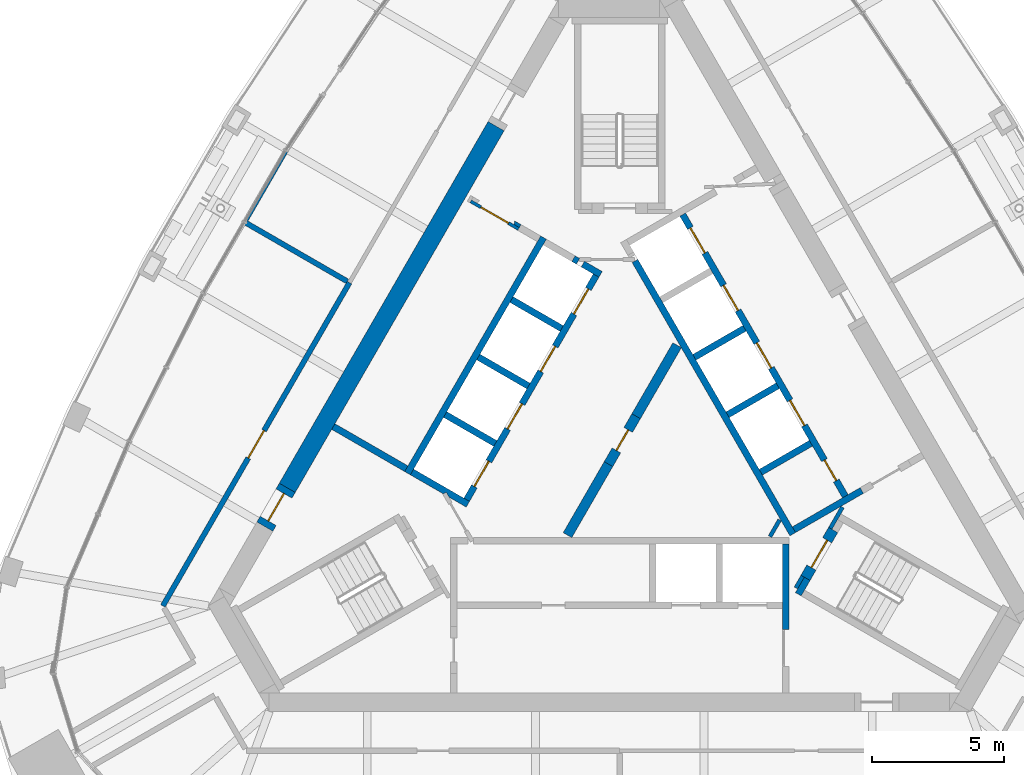
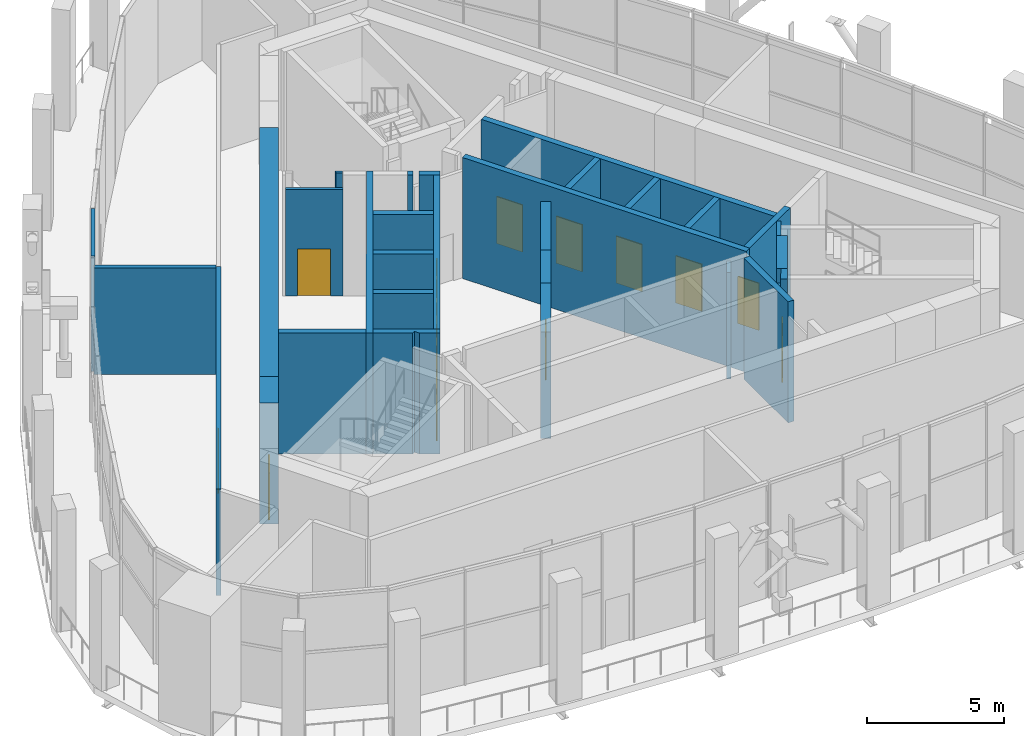
# One storey, part 14 of 23: 31 walls, 14 doors, 14 openings.
"""IFC4 building model written with IfcOpenShell, lengths in metres."""

from ifc_helpers import new_model, si_unit, direction, frame, frame_2d, origin, place, context, subcontext, project, spatial, polyline, rectangle, outline, extrude, material, layer, layer_set, type_object, element, fill, save


model = new_model("IFC4")

# Units and contexts
model_context = context("Model", 3, precision=1e-05, world=origin(), true_north=direction((0.0, 1.0)))
body_context = subcontext(model_context, "Body", "Model", "MODEL_VIEW")
ifc_project = project(units=[si_unit("LENGTHUNIT", "METRE"), si_unit("AREAUNIT", "SQUARE_METRE"), si_unit("VOLUMEUNIT", "CUBIC_METRE"), si_unit("PLANEANGLEUNIT", "RADIAN"), si_unit("MASSUNIT", "GRAM", prefix="KILO")], contexts=[model_context])

# Site, building, storey
site_placement = place(None, origin())
site = spatial("IfcSite", under=ifc_project, at=site_placement, CompositionType="ELEMENT")
building_placement = place(site_placement, origin())
building = spatial("IfcBuilding", under=site, at=building_placement, Name="Mestral Congress Tower", CompositionType="ELEMENT")
storey_placement = place(building_placement, frame((0.0, 0.0, 261.60009765625)))
storey = spatial("IfcBuildingStorey", under=building, at=storey_placement, Name="L61", CompositionType="ELEMENT", Elevation=261.60009765625)

# Walls
ifc_material_1 = material(Name="Fire-rated board partition")
ifc_layer_1 = layer(ifc_material_1, 0.14990234375)
ifc_layer_set_1 = layer_set([ifc_layer_1], Name="Fire-rated board partition")
wall_type_1 = type_object("IfcWallType", Name="Core partition 150", PredefinedType="PARTITIONING", material=ifc_layer_set_1)
wall_1_placement = place(storey_placement, frame((6.94482421875, -5.22216796875, 0.0), z_axis=(0.0, 0.0, 1.0), x_axis=(-0.499818422106, -0.866130212453, 0.0)))
element("IfcWall", 1, at=wall_1_placement, inside=storey, type_object=wall_type_1, Name="L61 core wall", PredefinedType="PARTITIONING", context=body_context, shape_type="SweptSolid", body=[
    extrude(rectangle(XDim=0.513916015625, YDim=0.14990234375, at=frame_2d((0.2568359375, 0.0))), origin(), (0.0, 0.0, 1.0), 4.75),
])
wall_2_placement = place(storey_placement, frame((5.704833984375, -3.718017578125, 0.0), z_axis=(0.0, 0.0, 1.0), x_axis=(0.499962090823, 0.866047289552, 0.0)))
element("IfcWall", 2, at=wall_2_placement, inside=storey, type_object=wall_type_1, Name="L61 core wall", PredefinedType="PARTITIONING", context=body_context, shape_type="SweptSolid", body=[
    extrude(rectangle(XDim=0.73486328125, YDim=0.14990234375, at=frame_2d((0.367431640625, 0.0))), origin(), (0.0, 0.0, 1.0), 4.75),
])
placement = place(storey_placement, origin())
element("IfcWall", 3, at=placement, inside=storey, type_object=wall_type_1, Name="L61 core wall", PredefinedType="PARTITIONING", context=body_context, shape_type="SweptSolid", body=[
    extrude(outline(polyline([(2.016845703125, 3.64306640625), (2.341552734375, 3.45556640625), (0.784912109375, 0.759521484375), (0.460205078125, 0.947021484375), (2.016845703125, 3.64306640625)])), origin(), (0.0, 0.0, 1.0), 4.75),
])
element("IfcWall", 4, at=placement, inside=storey, type_object=wall_type_1, Name="L61 core wall", PredefinedType="PARTITIONING", context=body_context, shape_type="SweptSolid", body=[
    extrude(outline(polyline([(-0.590087890625, -0.871826171875), (-0.26513671875, -1.059326171875), (-1.822021484375, -3.755615234375), (-2.146728515625, -3.568115234375), (-0.590087890625, -0.871826171875)])), origin(), (0.0, 0.0, 1.0), 4.75),
])

# Wall, opening, door
ifc_layer_2 = layer(ifc_material_1, 0.1201171875)
ifc_layer_set_2 = layer_set([ifc_layer_2], Name="Fire-rated board partition")
wall_type_2 = type_object("IfcWallType", Name="Core partition 150 door-wall 120", PredefinedType="PARTITIONING", material=ifc_layer_set_2)
wall_5_placement = place(storey_placement, frame((-5.65869140625, 9.01171875, 0.0), z_axis=(0.0, 0.0, 1.0), x_axis=(0.866009402589, -0.500027713859, 0.0)))
wall_5 = element("IfcWall", 5, at=wall_5_placement, inside=storey, type_object=wall_type_2, Name="L61 door wall", PredefinedType="PARTITIONING", context=body_context, shape_type="SweptSolid", body=[
    extrude(rectangle(XDim=2.10009765625, YDim=0.1201171875, at=frame_2d((1.050048828125, 0.0))), origin(), (0.0, 0.0, 1.0), 4.75),
])
opening_1_placement = place(wall_5_placement, frame((0.449951171875, 0.0, 0.0)))
opening_1 = element("IfcOpeningElement", 6, at=opening_1_placement, cuts=wall_5, Name="Opening LB2-WL2", PredefinedType="OPENING", context=body_context, shape_type="SweptSolid", body=[
    extrude(rectangle(XDim=1.199951171875, YDim=2.10009765625, at=frame_2d((0.60009765625, 1.050048828125))), frame((0.0, 0.070068359375, 0.0), z_axis=(0.0, -1.0, 0.0), x_axis=(1.0, 0.0, 0.0)), (0.0, 0.0, 1.0), 0.14013671875),
])
ifc_material_2 = material(Name="Fire-rated steel door set", Category="steel")
door_type_1 = type_object("IfcDoorType", Name="Core door LB 1200x2100", OperationType="SINGLE_SWING_LEFT", PredefinedType="DOOR", material=ifc_material_2)
door_1_placement = place(opening_1_placement, origin())
door_1 = element("IfcDoor", 7, at=door_1_placement, inside=storey, type_object=door_type_1, Name="Door LB2-WL2", OperationType="SINGLE_SWING_LEFT", OverallHeight=2.10009765625, OverallWidth=1.199951171875, PredefinedType="DOOR", context=body_context, shape_type="SweptSolid", body=[
    extrude(rectangle(XDim=1.199951171875, YDim=2.10009765625, at=frame_2d((0.60009765625, 1.050048828125))), frame((0.0, 0.02490234375, 0.0), z_axis=(0.0, -1.0, 0.0), x_axis=(1.0, 0.0, 0.0)), (0.0, 0.0, 1.0), 0.050048828125),
])
fill(opening_1, door_1)

ifc_layer_3 = layer(ifc_material_1, 0.375)
ifc_layer_set_3 = layer_set([ifc_layer_3], Name="Fire-rated board partition")
wall_type_3 = type_object("IfcWallType", Name="Core partition 150 door-wall 375", PredefinedType="PARTITIONING", material=ifc_layer_set_3)
wall_6_placement = place(storey_placement, frame((-0.427490234375, -0.965576171875, 0.0), z_axis=(0.0, 0.0, 1.0), x_axis=(0.49994051562, 0.866059744384, 0.0)))
wall_6 = element("IfcWall", 8, at=wall_6_placement, inside=storey, type_object=wall_type_3, Name="L61 door wall", PredefinedType="PARTITIONING", context=body_context, shape_type="SweptSolid", body=[
    extrude(rectangle(XDim=2.099853515625, YDim=0.375, at=frame_2d((1.0498046875, 0.0))), origin(), (0.0, 0.0, 1.0), 4.75),
])
opening_2_placement = place(wall_6_placement, frame((0.60009765625, 0.0, 0.0)))
opening_2 = element("IfcOpeningElement", 9, at=opening_2_placement, cuts=wall_6, Name="Opening CD1-HUB0", PredefinedType="OPENING", context=body_context, shape_type="SweptSolid", body=[
    extrude(rectangle(XDim=0.89990234375, YDim=2.10009765625, at=frame_2d((0.449951171875, 1.050048828125))), frame((0.0, 0.197509765625, 0.0), z_axis=(0.0, -1.0, 0.0), x_axis=(1.0, 0.0, 0.0)), (0.0, 0.0, 1.0), 0.39501953125),
])
door_type_2 = type_object("IfcDoorType", Name="Core door CD 900x2100", OperationType="SINGLE_SWING_LEFT", PredefinedType="DOOR", material=ifc_material_2)
door_2_placement = place(opening_2_placement, origin())
door_2 = element("IfcDoor", 10, at=door_2_placement, inside=storey, type_object=door_type_2, Name="Door CD1-HUB0", OperationType="SINGLE_SWING_LEFT", OverallHeight=2.10009765625, OverallWidth=0.89990234375, PredefinedType="DOOR", context=body_context, shape_type="SweptSolid", body=[
    extrude(rectangle(XDim=0.89990234375, YDim=2.10009765625, at=frame_2d((0.449951171875, 1.050048828125))), frame((0.0, 0.02490234375, 0.0), z_axis=(0.0, -1.0, 0.0), x_axis=(1.0, 0.0, 0.0)), (0.0, 0.0, 1.0), 0.050048828125),
])
fill(opening_2, door_2)

# Wall
ifc_material_3 = material(Name="Concrete C60/75", Category="concrete")
ifc_layer_4 = layer(ifc_material_3, 0.699951171875)
ifc_layer_set_4 = layer_set([ifc_layer_4], Name="Concrete C60/75")
wall_type_4 = type_object("IfcWallType", Name="Core wall RC 700", PredefinedType="SOLIDWALL", material=ifc_layer_set_4)
wall_7_placement = place(storey_placement, frame((-12.624755859375, -1.866943359375, 0.0), z_axis=(0.0, 0.0, 1.0), x_axis=(0.499996974394, 0.866027150612, 0.0)))
element("IfcWall", 11, at=wall_7_placement, inside=storey, type_object=wall_type_4, Name="L61 core wall", PredefinedType="SOLIDWALL", context=body_context, shape_type="SweptSolid", body=[
    extrude(rectangle(XDim=15.8583984375, YDim=0.699951171875, at=frame_2d((7.92919921875, 0.0))), origin(), (0.0, 0.0, 1.0), 5.39990234375),
])

# Wall, opening, door
wall_8_placement = place(storey_placement, frame((-13.474853515625, -3.339111328125, 0.0), z_axis=(0.0, 0.0, 1.0), x_axis=(0.499954529098, 0.86605165483, 0.0)))
wall_8 = element("IfcWall", 12, at=wall_8_placement, inside=storey, type_object=wall_type_4, Name="L61 door wall", PredefinedType="SOLIDWALL", context=body_context, shape_type="SweptSolid", body=[
    extrude(rectangle(XDim=1.699951171875, YDim=0.699951171875, at=frame_2d((0.85009765625, 0.0))), origin(), (0.0, 0.0, 1.0), 5.39990234375),
])
opening_3_placement = place(wall_8_placement, frame((0.25, 0.0, 0.0)))
opening_3 = element("IfcOpeningElement", 13, at=opening_3_placement, cuts=wall_8, Name="Opening XD3", PredefinedType="OPENING", context=body_context, shape_type="SweptSolid", body=[
    extrude(rectangle(XDim=1.199951171875, YDim=2.10009765625, at=frame_2d((0.60009765625, 1.050048828125))), frame((0.0, 0.35986328125, 0.0), z_axis=(0.0, -1.0, 0.0), x_axis=(1.0, 0.0, 0.0)), (0.0, 0.0, 1.0), 0.719970703125),
])
door_type_3 = type_object("IfcDoorType", Name="Core door XD 1200x2100", OperationType="SINGLE_SWING_LEFT", PredefinedType="DOOR", material=ifc_material_2)
door_3_placement = place(opening_3_placement, origin())
door_3 = element("IfcDoor", 14, at=door_3_placement, inside=storey, type_object=door_type_3, Name="Door XD3", OperationType="SINGLE_SWING_LEFT", OverallHeight=2.10009765625, OverallWidth=1.199951171875, PredefinedType="DOOR", context=body_context, shape_type="SweptSolid", body=[
    extrude(rectangle(XDim=1.199951171875, YDim=2.10009765625, at=frame_2d((0.60009765625, 1.050048828125))), frame((0.0, 0.02490234375, 0.0), z_axis=(0.0, -1.0, 0.0), x_axis=(1.0, 0.0, 0.0)), (0.0, 0.0, 1.0), 0.050048828125),
])
fill(opening_3, door_3)

# Walls
ifc_layer_5 = layer(ifc_material_3, 0.25)
ifc_layer_set_5 = layer_set([ifc_layer_5], Name="Concrete C60/75")
wall_type_5 = type_object("IfcWallType", Name="Shaft wall RC 250", PredefinedType="SOLIDWALL", material=ifc_layer_set_5)
wall_9_placement = place(storey_placement, frame((6.300048828125, -7.239990234375, 0.0), z_axis=(0.0, 0.0, 1.0), x_axis=(0.0, 1.0, 0.0)))
element("IfcWall", 15, at=wall_9_placement, inside=storey, type_object=wall_type_5, Name="L61 core wall", PredefinedType="SOLIDWALL", context=body_context, shape_type="SweptSolid", body=[
    extrude(rectangle(XDim=3.239990234375, YDim=0.25, at=frame_2d((1.6201171875, 0.0))), origin(), (0.0, 0.0, 1.0), 5.39990234375),
])
wall_10_placement = place(storey_placement, frame((6.568359375, -3.626708984375, 0.0), z_axis=(0.0, 0.0, 1.0), x_axis=(-0.499999455981, 0.866025717874, 0.0)))
element("IfcWall", 16, at=wall_10_placement, inside=storey, type_object=wall_type_5, Name="L61 core wall", PredefinedType="SOLIDWALL", context=body_context, shape_type="SweptSolid", body=[
    extrude(rectangle(XDim=11.97802734375, YDim=0.25, at=frame_2d((5.989013671875, 0.0))), origin(), (0.0, 0.0, 1.0), 5.39990234375),
])
for number, where, z_axis, x_axis, name in (
    (17, (2.833984375, 3.091064453125, 0.0), (0.0, 0.0, 1.0), (0.866008176907, 0.50002983664, 0.0), "L61 core wall"),
    (18, (4.093994140625, 0.90869140625, 0.0), (0.0, 0.0, 1.0), (0.866008176907, 0.50002983664, 0.0), "L61 core wall"),
    (19, (5.35400390625, -1.273681640625, 0.0), (0.0, 0.0, 1.0), (0.866008176907, 0.50002983664, 0.0), "L61 core wall"),
):
    element("IfcWall", number, at=place(storey_placement, frame(where, z_axis=z_axis, x_axis=x_axis)), inside=storey, type_object=wall_type_5, Name=name, PredefinedType="SOLIDWALL", context=body_context, shape_type="SweptSolid", body=[
        extrude(rectangle(XDim=2.199951171875, YDim=0.25, at=frame_2d((1.10009765625, 0.0))), origin(), (0.0, 0.0, 1.0), 5.39990234375),
    ])
wall_11_placement = place(storey_placement, frame((6.614013671875, -3.4560546875, 0.0), z_axis=(0.0, 0.0, 1.0), x_axis=(0.866032512851, 0.499987686533, 0.0)))
element("IfcWall", 20, at=wall_11_placement, inside=storey, type_object=wall_type_5, Name="L61 core wall", PredefinedType="SOLIDWALL", context=body_context, shape_type="SweptSolid", body=[
    extrude(rectangle(XDim=2.974609375, YDim=0.25, at=frame_2d((1.4873046875, 0.0))), origin(), (0.0, 0.0, 1.0), 5.39990234375),
])
wall_12_placement = place(storey_placement, frame((-8.06005859375, -1.310546875, 0.0), z_axis=(0.0, 0.0, 1.0), x_axis=(0.50000273126, 0.866023826885, 0.0)))
element("IfcWall", 21, at=wall_12_placement, inside=storey, type_object=wall_type_5, Name="L61 core wall", PredefinedType="SOLIDWALL", context=body_context, shape_type="SweptSolid", body=[
    extrude(rectangle(XDim=10.330078125, YDim=0.25, at=frame_2d((5.1650390625, 0.0))), origin(), (0.0, 0.0, 1.0), 5.39990234375),
])
wall_13_placement = place(storey_placement, frame((-1.75830078125, 6.834716796875, 0.0), z_axis=(0.0, 0.0, 1.0), x_axis=(0.865982457891, -0.500074377092, 0.0)))
element("IfcWall", 22, at=wall_13_placement, inside=storey, type_object=wall_type_5, Name="L61 core wall", PredefinedType="SOLIDWALL", context=body_context, shape_type="SweptSolid", body=[
    extrude(rectangle(XDim=0.2001953125, YDim=0.25, at=frame_2d((0.10009765625, 0.0))), origin(), (0.0, 0.0, 1.0), 5.39990234375),
])
wall_14_placement = place(storey_placement, frame((-0.7275390625, 6.23974609375, 0.0), z_axis=(0.0, 0.0, 1.0), x_axis=(-0.865955664968, 0.500120771724, 0.0)))
element("IfcWall", 23, at=wall_14_placement, inside=storey, type_object=wall_type_5, Name="L61 core wall", PredefinedType="SOLIDWALL", context=body_context, shape_type="SweptSolid", body=[
    extrude(rectangle(XDim=0.778076171875, YDim=0.25, at=frame_2d((0.38916015625, 0.0))), origin(), (0.0, 0.0, 1.0), 5.39990234375),
])
for number, where, z_axis, x_axis, name in (
    (24, (-2.2041015625, 4.182373046875, 0.0), (0.0, 0.0, 1.0), (-0.866008176907, 0.50002983664, 0.0), "L61 core wall"),
    (25, (-5.369384765625, 3.10009765625, 0.0), (0.0, 0.0, 1.0), (0.866008176907, -0.50002983664, 0.0), "L61 core wall"),
    (26, (-4.72412109375, -0.182373046875, 0.0), (0.0, 0.0, 1.0), (-0.866008176907, 0.50002983664, 0.0), "L61 core wall"),
):
    element("IfcWall", number, at=place(storey_placement, frame(where, z_axis=z_axis, x_axis=x_axis)), inside=storey, type_object=wall_type_5, Name=name, PredefinedType="SOLIDWALL", context=body_context, shape_type="SweptSolid", body=[
        extrude(rectangle(XDim=2.199951171875, YDim=0.25, at=frame_2d((1.10009765625, 0.0))), origin(), (0.0, 0.0, 1.0), 5.39990234375),
    ])
element("IfcWall", 27, at=placement, inside=storey, type_object=wall_type_5, Name="L61 core wall", PredefinedType="SOLIDWALL", context=body_context, shape_type="SweptSolid", body=[
    extrude(outline(polyline([(-5.921630859375, -2.256591796875), (-5.921630859375, -2.256591796875), (-5.705078125, -2.381591796875), (-5.830078125, -2.597900390625), (-6.48291015625, -2.22119140625), (-6.59130859375, -2.033447265625), (-6.59130859375, -2.033447265625), (-6.69970703125, -2.095947265625), (-7.951904296875, -1.373046875), (-7.826904296875, -1.156494140625), (-5.921630859375, -2.256591796875)])), origin(), (0.0, 0.0, 1.0), 5.39990234375),
])
wall_16_placement = place(storey_placement, frame((-8.10595703125, -1.139892578125, 0.0), z_axis=(0.0, 0.0, 1.0), x_axis=(-0.866008981251, 0.500028443584, 0.0)))
element("IfcWall", 28, at=wall_16_placement, inside=storey, type_object=wall_type_5, Name="L61 core wall", PredefinedType="SOLIDWALL", context=body_context, shape_type="SweptSolid", body=[
    extrude(rectangle(XDim=3.199951171875, YDim=0.25, at=frame_2d((1.60009765625, 0.0))), origin(), (0.0, 0.0, 1.0), 5.39990234375),
])
element("IfcWall", 29, at=placement, inside=storey, type_object=wall_type_5, Name="L61 core wall", PredefinedType="SOLIDWALL", context=body_context, shape_type="SweptSolid", body=[
    extrude(outline(polyline([(-3.748291015625, 8.1279296875), (-3.813232421875, 8.015380859375), (-4.026611328125, 8.138671875), (-4.0166015625, 8.156005859375), (-4.007568359375, 8.17333984375), (-4.000244140625, 8.191650390625), (-3.994873046875, 8.21044921875), (-3.991455078125, 8.229736328125), (-3.98974609375, 8.24951171875), (-3.989990234375, 8.267578125), (-3.748291015625, 8.1279296875)])), origin(), (0.0, 0.0, 1.0), 5.39990234375),
])

# Wall, openings, doors
wall_18_placement = place(storey_placement, frame((8.565185546875, -2.185302734375, 0.0), z_axis=(0.0, 0.0, 1.0), x_axis=(-0.499997954832, 0.866026584559, 0.0)))
wall_18 = element("IfcWall", 30, at=wall_18_placement, inside=storey, type_object=wall_type_5, Name="L61 door wall", PredefinedType="SOLIDWALL", context=body_context, shape_type="SweptSolid", body=[
    extrude(rectangle(XDim=12.35009765625, YDim=0.25, at=frame_2d((6.175048828125, 0.0))), origin(), (0.0, 0.0, 1.0), 5.39990234375),
])
opening_4_placement = place(wall_18_placement, frame((0.68505859375, 0.0, 0.0)))
opening_4 = element("IfcOpeningElement", 31, at=opening_4_placement, cuts=wall_18, Name="Opening SR-NEB1", PredefinedType="OPENING", context=body_context, shape_type="SweptSolid", body=[
    extrude(rectangle(XDim=0.89990234375, YDim=2.10009765625, at=frame_2d((0.449951171875, 1.050048828125))), frame((0.0, 0.135009765625, 0.0), z_axis=(0.0, -1.0, 0.0), x_axis=(1.0, 0.0, 0.0)), (0.0, 0.0, 1.0), 0.27001953125),
])
opening_5_placement = place(wall_18_placement, frame((3.10498046875, 0.0, 0.0)))
opening_5 = element("IfcOpeningElement", 32, at=opening_5_placement, cuts=wall_18, Name="Opening LD-NEB2", PredefinedType="OPENING", context=body_context, shape_type="SweptSolid", body=[
    extrude(rectangle(XDim=1.10009765625, YDim=2.10009765625, at=frame_2d((0.550048828125, 1.050048828125))), frame((0.0, 0.135009765625, 0.0), z_axis=(0.0, -1.0, 0.0), x_axis=(1.0, 0.0, 0.0)), (0.0, 0.0, 1.0), 0.27001953125),
])
opening_6_placement = place(wall_18_placement, frame((5.625, 0.0, 0.0)))
opening_6 = element("IfcOpeningElement", 33, at=opening_6_placement, cuts=wall_18, Name="Opening LD-NEB3", PredefinedType="OPENING", context=body_context, shape_type="SweptSolid", body=[
    extrude(rectangle(XDim=1.10009765625, YDim=2.10009765625, at=frame_2d((0.550048828125, 1.050048828125))), frame((0.0, 0.135009765625, 0.0), z_axis=(0.0, -1.0, 0.0), x_axis=(1.0, 0.0, 0.0)), (0.0, 0.0, 1.0), 0.27001953125),
])
opening_7_placement = place(wall_18_placement, frame((8.14501953125, 0.0, 0.0)))
opening_7 = element("IfcOpeningElement", 34, at=opening_7_placement, cuts=wall_18, Name="Opening LD-NEB4", PredefinedType="OPENING", context=body_context, shape_type="SweptSolid", body=[
    extrude(rectangle(XDim=1.10009765625, YDim=2.10009765625, at=frame_2d((0.550048828125, 1.050048828125))), frame((0.0, 0.135009765625, 0.0), z_axis=(0.0, -1.0, 0.0), x_axis=(1.0, 0.0, 0.0)), (0.0, 0.0, 1.0), 0.27001953125),
])
opening_8_placement = place(wall_18_placement, frame((10.6650390625, 0.0, 0.0)))
opening_8 = element("IfcOpeningElement", 35, at=opening_8_placement, cuts=wall_18, Name="Opening LD-NEB5", PredefinedType="OPENING", context=body_context, shape_type="SweptSolid", body=[
    extrude(rectangle(XDim=1.10009765625, YDim=2.10009765625, at=frame_2d((0.550048828125, 1.050048828125))), frame((0.0, 0.135009765625, 0.0), z_axis=(0.0, -1.0, 0.0), x_axis=(1.0, 0.0, 0.0)), (0.0, 0.0, 1.0), 0.27001953125),
])
door_type_4 = type_object("IfcDoorType", Name="Core door LD 1100x2100", OperationType="DOUBLE_DOOR_SLIDING", PredefinedType="DOOR", material=ifc_material_2)
door_4_placement = place(opening_5_placement, origin())
door_4 = element("IfcDoor", 36, at=door_4_placement, inside=storey, type_object=door_type_4, Name="Door LD-NEB2", OperationType="DOUBLE_DOOR_SLIDING", OverallHeight=2.10009765625, OverallWidth=1.10009765625, PredefinedType="DOOR", context=body_context, shape_type="SweptSolid", body=[
    extrude(rectangle(XDim=1.10009765625, YDim=2.10009765625, at=frame_2d((0.550048828125, 1.050048828125))), frame((0.0, 0.02490234375, 0.0), z_axis=(0.0, -1.0, 0.0), x_axis=(1.0, 0.0, 0.0)), (0.0, 0.0, 1.0), 0.050048828125),
])
fill(opening_5, door_4)
door_5_placement = place(opening_6_placement, origin())
door_5 = element("IfcDoor", 37, at=door_5_placement, inside=storey, type_object=door_type_4, Name="Door LD-NEB3", OperationType="DOUBLE_DOOR_SLIDING", OverallHeight=2.10009765625, OverallWidth=1.10009765625, PredefinedType="DOOR", context=body_context, shape_type="SweptSolid", body=[
    extrude(rectangle(XDim=1.10009765625, YDim=2.10009765625, at=frame_2d((0.550048828125, 1.050048828125))), frame((0.0, 0.02490234375, 0.0), z_axis=(0.0, -1.0, 0.0), x_axis=(1.0, 0.0, 0.0)), (0.0, 0.0, 1.0), 0.050048828125),
])
fill(opening_6, door_5)
door_6_placement = place(opening_7_placement, origin())
door_6 = element("IfcDoor", 38, at=door_6_placement, inside=storey, type_object=door_type_4, Name="Door LD-NEB4", OperationType="DOUBLE_DOOR_SLIDING", OverallHeight=2.10009765625, OverallWidth=1.10009765625, PredefinedType="DOOR", context=body_context, shape_type="SweptSolid", body=[
    extrude(rectangle(XDim=1.10009765625, YDim=2.10009765625, at=frame_2d((0.550048828125, 1.050048828125))), frame((0.0, 0.02490234375, 0.0), z_axis=(0.0, -1.0, 0.0), x_axis=(1.0, 0.0, 0.0)), (0.0, 0.0, 1.0), 0.050048828125),
])
fill(opening_7, door_6)
door_7_placement = place(opening_8_placement, origin())
door_7 = element("IfcDoor", 39, at=door_7_placement, inside=storey, type_object=door_type_4, Name="Door LD-NEB5", OperationType="DOUBLE_DOOR_SLIDING", OverallHeight=2.10009765625, OverallWidth=1.10009765625, PredefinedType="DOOR", context=body_context, shape_type="SweptSolid", body=[
    extrude(rectangle(XDim=1.10009765625, YDim=2.10009765625, at=frame_2d((0.550048828125, 1.050048828125))), frame((0.0, 0.02490234375, 0.0), z_axis=(0.0, -1.0, 0.0), x_axis=(1.0, 0.0, 0.0)), (0.0, 0.0, 1.0), 0.050048828125),
])
fill(opening_8, door_7)
door_type_5 = type_object("IfcDoorType", Name="Core door SR 900x2100", OperationType="SINGLE_SWING_LEFT", PredefinedType="DOOR", material=ifc_material_2)
door_8_placement = place(opening_4_placement, origin())
door_8 = element("IfcDoor", 40, at=door_8_placement, inside=storey, type_object=door_type_5, Name="Door SR-NEB1", OperationType="SINGLE_SWING_LEFT", OverallHeight=2.10009765625, OverallWidth=0.89990234375, PredefinedType="DOOR", context=body_context, shape_type="SweptSolid", body=[
    extrude(rectangle(XDim=0.89990234375, YDim=2.10009765625, at=frame_2d((0.449951171875, 1.050048828125))), frame((0.0, 0.02490234375, 0.0), z_axis=(0.0, -1.0, 0.0), x_axis=(1.0, 0.0, 0.0)), (0.0, 0.0, 1.0), 0.050048828125),
])
fill(opening_4, door_8)

wall_19_placement = place(storey_placement, frame((-0.898193359375, 6.194091796875, 0.0), z_axis=(0.0, 0.0, 1.0), x_axis=(-0.499996202215, -0.866027596426, 0.0)))
wall_19 = element("IfcWall", 41, at=wall_19_placement, inside=storey, type_object=wall_type_5, Name="L61 door wall", PredefinedType="SOLIDWALL", context=body_context, shape_type="SweptSolid", body=[
    extrude(rectangle(XDim=9.830078125, YDim=0.25, at=frame_2d((4.9150390625, 0.0))), origin(), (0.0, 0.0, 1.0), 5.39990234375),
])
opening_9_placement = place(wall_19_placement, frame((0.5849609375, 0.0, 0.0)))
opening_9 = element("IfcOpeningElement", 42, at=opening_9_placement, cuts=wall_19, Name="Opening LD-NWB1", PredefinedType="OPENING", context=body_context, shape_type="SweptSolid", body=[
    extrude(rectangle(XDim=1.10009765625, YDim=2.10009765625, at=frame_2d((0.550048828125, 1.050048828125))), frame((0.0, 0.135009765625, 0.0), z_axis=(0.0, -1.0, 0.0), x_axis=(1.0, 0.0, 0.0)), (0.0, 0.0, 1.0), 0.27001953125),
])
opening_10_placement = place(wall_19_placement, frame((3.10498046875, 0.0, 0.0)))
opening_10 = element("IfcOpeningElement", 43, at=opening_10_placement, cuts=wall_19, Name="Opening LD-NWB2", PredefinedType="OPENING", context=body_context, shape_type="SweptSolid", body=[
    extrude(rectangle(XDim=1.10009765625, YDim=2.10009765625, at=frame_2d((0.550048828125, 1.050048828125))), frame((0.0, 0.135009765625, 0.0), z_axis=(0.0, -1.0, 0.0), x_axis=(1.0, 0.0, 0.0)), (0.0, 0.0, 1.0), 0.27001953125),
])
opening_11_placement = place(wall_19_placement, frame((5.625, 0.0, 0.0)))
opening_11 = element("IfcOpeningElement", 44, at=opening_11_placement, cuts=wall_19, Name="Opening LD-NWB3", PredefinedType="OPENING", context=body_context, shape_type="SweptSolid", body=[
    extrude(rectangle(XDim=1.10009765625, YDim=2.10009765625, at=frame_2d((0.550048828125, 1.050048828125))), frame((0.0, 0.135009765625, 0.0), z_axis=(0.0, -1.0, 0.0), x_axis=(1.0, 0.0, 0.0)), (0.0, 0.0, 1.0), 0.27001953125),
])
opening_12_placement = place(wall_19_placement, frame((8.14501953125, 0.0, 0.0)))
opening_12 = element("IfcOpeningElement", 45, at=opening_12_placement, cuts=wall_19, Name="Opening LD-NWB4", PredefinedType="OPENING", context=body_context, shape_type="SweptSolid", body=[
    extrude(rectangle(XDim=1.10009765625, YDim=2.10009765625, at=frame_2d((0.550048828125, 1.050048828125))), frame((0.0, 0.135009765625, 0.0), z_axis=(0.0, -1.0, 0.0), x_axis=(1.0, 0.0, 0.0)), (0.0, 0.0, 1.0), 0.27001953125),
])
door_9_placement = place(opening_9_placement, origin())
door_9 = element("IfcDoor", 46, at=door_9_placement, inside=storey, type_object=door_type_4, Name="Door LD-NWB1", OperationType="DOUBLE_DOOR_SLIDING", OverallHeight=2.10009765625, OverallWidth=1.10009765625, PredefinedType="DOOR", context=body_context, shape_type="SweptSolid", body=[
    extrude(rectangle(XDim=1.10009765625, YDim=2.10009765625, at=frame_2d((0.550048828125, 1.050048828125))), frame((0.0, 0.02490234375, 0.0), z_axis=(0.0, -1.0, 0.0), x_axis=(1.0, 0.0, 0.0)), (0.0, 0.0, 1.0), 0.050048828125),
])
fill(opening_9, door_9)
door_10_placement = place(opening_10_placement, origin())
door_10 = element("IfcDoor", 47, at=door_10_placement, inside=storey, type_object=door_type_4, Name="Door LD-NWB2", OperationType="DOUBLE_DOOR_SLIDING", OverallHeight=2.10009765625, OverallWidth=1.10009765625, PredefinedType="DOOR", context=body_context, shape_type="SweptSolid", body=[
    extrude(rectangle(XDim=1.10009765625, YDim=2.10009765625, at=frame_2d((0.550048828125, 1.050048828125))), frame((0.0, 0.02490234375, 0.0), z_axis=(0.0, -1.0, 0.0), x_axis=(1.0, 0.0, 0.0)), (0.0, 0.0, 1.0), 0.050048828125),
])
fill(opening_10, door_10)
door_11_placement = place(opening_11_placement, origin())
door_11 = element("IfcDoor", 48, at=door_11_placement, inside=storey, type_object=door_type_4, Name="Door LD-NWB3", OperationType="DOUBLE_DOOR_SLIDING", OverallHeight=2.10009765625, OverallWidth=1.10009765625, PredefinedType="DOOR", context=body_context, shape_type="SweptSolid", body=[
    extrude(rectangle(XDim=1.10009765625, YDim=2.10009765625, at=frame_2d((0.550048828125, 1.050048828125))), frame((0.0, 0.02490234375, 0.0), z_axis=(0.0, -1.0, 0.0), x_axis=(1.0, 0.0, 0.0)), (0.0, 0.0, 1.0), 0.050048828125),
])
fill(opening_11, door_11)
door_12_placement = place(opening_12_placement, origin())
door_12 = element("IfcDoor", 49, at=door_12_placement, inside=storey, type_object=door_type_4, Name="Door LD-NWB4", OperationType="DOUBLE_DOOR_SLIDING", OverallHeight=2.10009765625, OverallWidth=1.10009765625, PredefinedType="DOOR", context=body_context, shape_type="SweptSolid", body=[
    extrude(rectangle(XDim=1.10009765625, YDim=2.10009765625, at=frame_2d((0.550048828125, 1.050048828125))), frame((0.0, 0.02490234375, 0.0), z_axis=(0.0, -1.0, 0.0), x_axis=(1.0, 0.0, 0.0)), (0.0, 0.0, 1.0), 0.050048828125),
])
fill(opening_12, door_12)

# Walls
ifc_layer_6 = layer(ifc_material_3, 0.14990234375)
ifc_layer_set_6 = layer_set([ifc_layer_6], Name="Concrete C60/75")
wall_type_6 = type_object("IfcWallType", Name="Shaft wall RC 250 door-wall 150", PredefinedType="SOLIDWALL", material=ifc_layer_set_6)
wall_20_placement = place(storey_placement, frame((8.459228515625, -2.59912109375, 0.0), z_axis=(0.0, 0.0, 1.0), x_axis=(-0.500041054325, -0.866001699761, 0.0)))
element("IfcWall", 50, at=wall_20_placement, inside=storey, type_object=wall_type_6, Name="L61 core wall", PredefinedType="PARTITIONING", context=body_context, shape_type="SweptSolid", body=[
    extrude(rectangle(XDim=0.9287109375, YDim=0.14990234375, at=frame_2d((0.46435546875, 0.0))), origin(), (0.0, 0.0, 1.0), 5.39990234375),
])
ifc_material_4 = material(Name="Aluminium-framed glazed screen", Category="aluminium")
ifc_layer_7 = layer(ifc_material_4, 0.14990234375)
ifc_layer_set_7 = layer_set([ifc_layer_7], Name="Aluminium-framed glazed screen")
wall_type_7 = type_object("IfcWallType", Name="Special deck access screen 150", PredefinedType="PARTITIONING", material=ifc_layer_set_7)
wall_21_placement = place(storey_placement, frame((-12.66357421875, 10.926513671875, 0.0), z_axis=(0.0, 0.0, 1.0), x_axis=(-0.499994396859, -0.866028638735, 0.0)))
element("IfcWall", 51, at=wall_21_placement, inside=storey, type_object=wall_type_7, Name="Deck access screen wall", PredefinedType="PARTITIONING", context=body_context, shape_type="SweptSolid", body=[
    extrude(rectangle(XDim=3.03076171875, YDim=0.14990234375, at=frame_2d((1.515380859375, 0.0))), origin(), (0.0, 0.0, 1.0), 5.14990234375),
])

# Wall, opening, door
ifc_material_5 = material(Name="Concrete block wall, plastered", Category="concrete")
ifc_layer_8 = layer(ifc_material_5, 0.199951171875)
ifc_layer_set_8 = layer_set([ifc_layer_8], Name="Concrete block wall, plastered")
wall_type_8 = type_object("IfcWallType", Name="Special partition 200 EI 120", PredefinedType="PARTITIONING", material=ifc_layer_set_8)
wall_22_placement = place(storey_placement, frame((-10.26220703125, 5.92529296875, 0.0), z_axis=(0.0, 0.0, 1.0), x_axis=(-0.499997784101, -0.866026683131, 0.0)))
wall_22 = element("IfcWall", 52, at=wall_22_placement, inside=storey, type_object=wall_type_8, Name="Partition", PredefinedType="PARTITIONING", context=body_context, shape_type="SweptSolid", body=[
    extrude(rectangle(XDim=14.17431640625, YDim=0.199951171875, at=frame_2d((7.087158203125, 0.0))), origin(), (0.0, 0.0, 1.0), 4.75),
])
opening_13_placement = place(wall_22_placement, frame((6.487060546875, 0.0, 0.0)))
opening_13 = element("IfcOpeningElement", 53, at=opening_13_placement, cuts=wall_22, Name="Opening S61-001", PredefinedType="OPENING", context=body_context, shape_type="SweptSolid", body=[
    extrude(rectangle(XDim=1.199951171875, YDim=2.10009765625, at=frame_2d((0.60009765625, 1.050048828125))), frame((0.0, 0.10986328125, 0.0), z_axis=(0.0, -1.0, 0.0), x_axis=(1.0, 0.0, 0.0)), (0.0, 0.0, 1.0), 0.219970703125),
])
door_type_6 = type_object("IfcDoorType", Name="Plant room door 1200x2100", OperationType="SINGLE_SWING_LEFT", PredefinedType="DOOR", material=ifc_material_2)
door_13_placement = place(opening_13_placement, origin())
door_13 = element("IfcDoor", 54, at=door_13_placement, inside=storey, type_object=door_type_6, Name="Door S61-001", OperationType="SINGLE_SWING_RIGHT", OverallHeight=2.10009765625, OverallWidth=1.199951171875, PredefinedType="DOOR", context=body_context, shape_type="SweptSolid", body=[
    extrude(rectangle(XDim=1.199951171875, YDim=2.10009765625, at=frame_2d((0.60009765625, 1.050048828125))), frame((0.0, 0.02490234375, 0.0), z_axis=(0.0, -1.0, 0.0), x_axis=(1.0, 0.0, 0.0)), (0.0, 0.0, 1.0), 0.050048828125),
])
fill(opening_13, door_13)

# Walls
wall_23_placement = place(storey_placement, frame((-14.207275390625, 8.20263671875, 0.0), z_axis=(0.0, 0.0, 1.0), x_axis=(0.866022231217, -0.500005495009, 0.0)))
element("IfcWall", 55, at=wall_23_placement, inside=storey, type_object=wall_type_8, Name="Partition", PredefinedType="PARTITIONING", context=body_context, shape_type="SweptSolid", body=[
    extrude(rectangle(XDim=4.455078125, YDim=0.199951171875, at=frame_2d((2.2275390625, 0.0))), origin(), (0.0, 0.0, 1.0), 4.75),
])
ifc_layer_9 = layer(ifc_material_3, 0.25)
ifc_layer_set_9 = layer_set([ifc_layer_9], Name="Concrete C60/75")
wall_type_9 = type_object("IfcWallType", Name="Stair wall RC 250", PredefinedType="SOLIDWALL", material=ifc_layer_set_9)
wall_24_placement = place(storey_placement, frame((6.780029296875, -5.906494140625, 0.0), z_axis=(0.0, 0.0, 1.0), x_axis=(0.500223362819, 0.865896406789, 0.0)))
element("IfcWall", 56, at=wall_24_placement, inside=storey, type_object=wall_type_9, Name="L61 core wall", PredefinedType="SOLIDWALL", context=body_context, shape_type="SweptSolid", body=[
    extrude(rectangle(XDim=0.675048828125, YDim=0.25, at=frame_2d((0.33740234375, 0.0))), origin(), (0.0, 0.0, 1.0), 5.39990234375),
])

# Wall, opening, door
ifc_layer_10 = layer(ifc_material_3, 0.39990234375)
ifc_layer_set_10 = layer_set([ifc_layer_10], Name="Concrete C60/75")
wall_type_10 = type_object("IfcWallType", Name="Stair wall RC 250 door-wall 400", PredefinedType="SOLIDWALL", material=ifc_layer_set_10)
wall_25_placement = place(storey_placement, frame((7.052734375, -5.2841796875, 0.0), z_axis=(0.0, 0.0, 1.0), x_axis=(0.500078061341, 0.865980330357, 0.0)))
wall_25 = element("IfcWall", 57, at=wall_25_placement, inside=storey, type_object=wall_type_10, Name="L61 door wall", PredefinedType="SOLIDWALL", context=body_context, shape_type="SweptSolid", body=[
    extrude(rectangle(XDim=2.099853515625, YDim=0.39990234375, at=frame_2d((1.0498046875, 0.0))), origin(), (0.0, 0.0, 1.0), 5.39990234375),
])
opening_14_placement = place(wall_25_placement, frame((0.449951171875, 0.0, 0.0)))
opening_14 = element("IfcOpeningElement", 58, at=opening_14_placement, cuts=wall_25, Name="Opening ST-D1", PredefinedType="OPENING", context=body_context, shape_type="SweptSolid", body=[
    extrude(rectangle(XDim=1.199951171875, YDim=2.10009765625, at=frame_2d((0.60009765625, 1.050048828125))), frame((0.0, 0.2099609375, 0.0), z_axis=(0.0, -1.0, 0.0), x_axis=(1.0, 0.0, 0.0)), (0.0, 0.0, 1.0), 0.419921875),
])
door_type_7 = type_object("IfcDoorType", Name="Core door ST 1200x2100", OperationType="SINGLE_SWING_LEFT", PredefinedType="DOOR", material=ifc_material_2)
door_14_placement = place(opening_14_placement, origin())
door_14 = element("IfcDoor", 59, at=door_14_placement, inside=storey, type_object=door_type_7, Name="Door ST-D1", OperationType="SINGLE_SWING_LEFT", OverallHeight=2.10009765625, OverallWidth=1.199951171875, PredefinedType="DOOR", context=body_context, shape_type="SweptSolid", body=[
    extrude(rectangle(XDim=1.199951171875, YDim=2.10009765625, at=frame_2d((0.60009765625, 1.050048828125))), frame((0.0, 0.02490234375, 0.0), z_axis=(0.0, -1.0, 0.0), x_axis=(1.0, 0.0, 0.0)), (0.0, 0.0, 1.0), 0.050048828125),
])
fill(opening_14, door_14)

save(model, "model.ifc")
